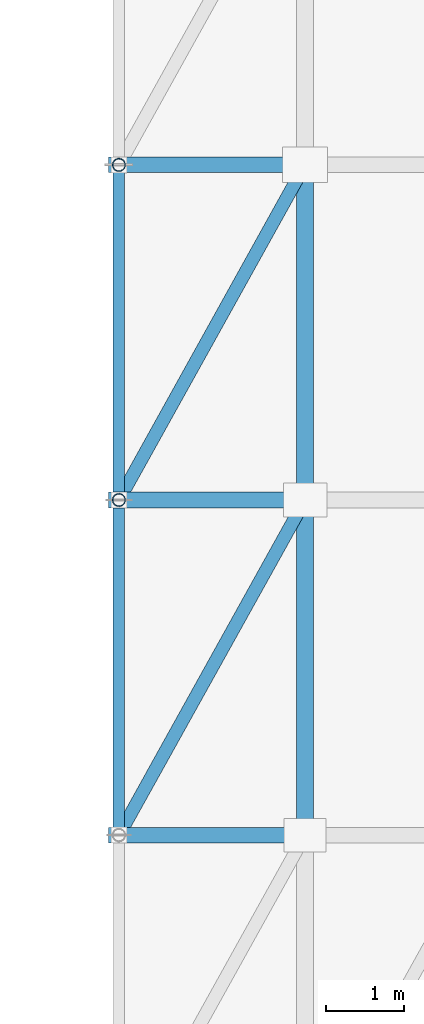
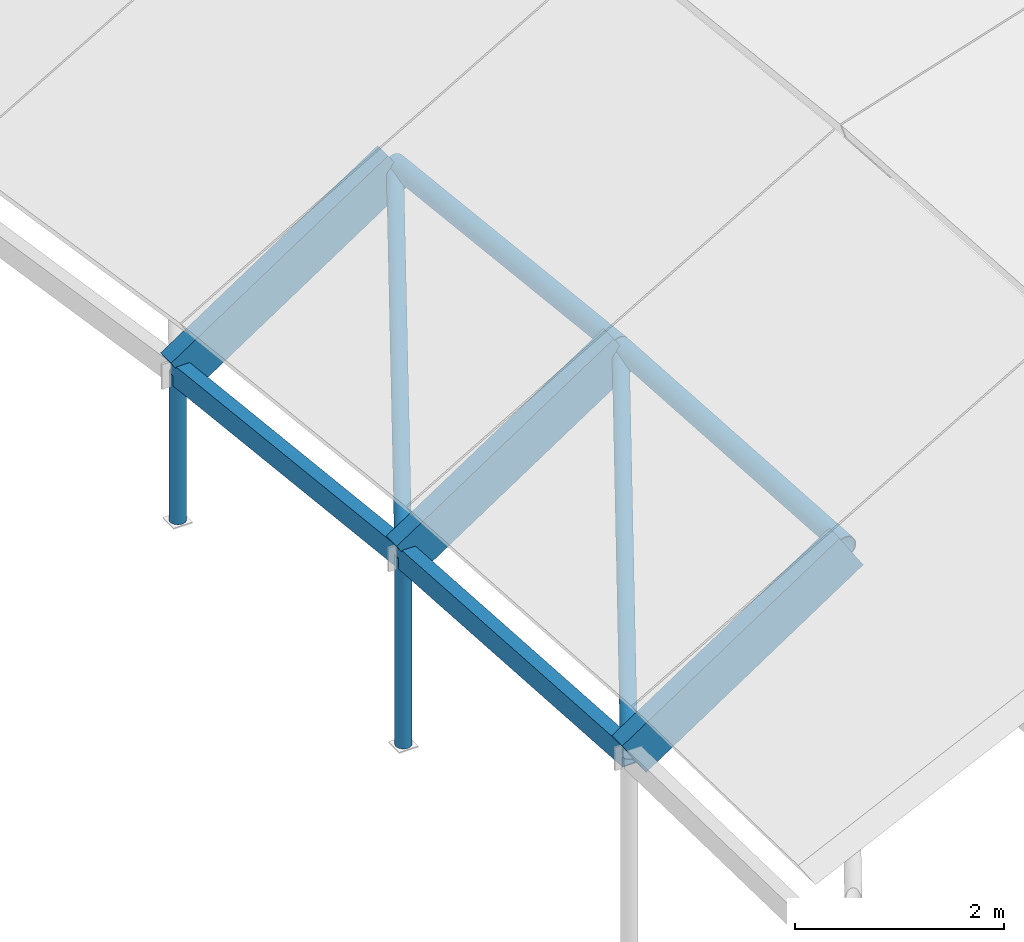
# One storey, part 11 of 35: 11 members.
"""IFC4 building model written with IfcOpenShell, lengths in metres."""

from ifc_helpers import new_model, si_unit, direction, frame, origin, origin_2d, place, context, subcontext, project, spatial, rectangle, hollow_rectangle, hollow_circle, extrude, material, material_profile, profile_set, type_object, element, save


model = new_model("IFC4")

# Units and contexts
model_context = context("Model", 3, precision=1e-05, world=origin(), true_north=direction((0.0, 1.0)))
body_context = subcontext(model_context, "Body", "Model", "MODEL_VIEW")
ifc_project = project(units=[si_unit("LENGTHUNIT", "METRE"), si_unit("AREAUNIT", "SQUARE_METRE"), si_unit("VOLUMEUNIT", "CUBIC_METRE"), si_unit("PLANEANGLEUNIT", "RADIAN"), si_unit("MASSUNIT", "GRAM", prefix="KILO")], contexts=[model_context])

# Site, building, storey
site_placement = place(None, origin())
site = spatial("IfcSite", under=ifc_project, at=site_placement, CompositionType="ELEMENT")
building_placement = place(site_placement, origin())
building = spatial("IfcBuilding", under=site, at=building_placement, Name="Zarrinpeak Specialist Clinic", CompositionType="ELEMENT")
storey_placement = place(building_placement, frame((0.0, 0.0, 31.60009765625)))
storey = spatial("IfcBuildingStorey", under=building, at=storey_placement, Name="RF", CompositionType="ELEMENT", Elevation=31.60009765625)

# Members
ifc_material_1 = material(Name="Steel S355", Category="steel")
ifc_material_profile_1 = material_profile(ifc_material_1, hollow_circle(Radius=0.084228515625, WallThickness=0.008056640625, at=origin_2d()), Name="CHS 168.3x8.0")
ifc_profile_set_1 = profile_set([ifc_material_profile_1], Name="Steel S355")
member_type_1 = type_object("IfcMemberType", Name="MB-BR168", PredefinedType="BRACE", material=ifc_profile_set_1)
member_1_placement = place(storey_placement, frame((93.60009765625, 54.719970703125, -15.296142578125), z_axis=(0.469723105884, 0.84554937524, 0.253784274196), x_axis=(-0.874168927292, 0.485621958479, 0.0)))
element("IfcMember", 1, at=member_1_placement, inside=storey, type_object=member_type_1, Name="V3 Gridshell Diagonal Brace GS-DIAG-007", PredefinedType="BRACE", context=body_context, shape_type="SweptSolid", body=[
    extrude(hollow_circle(Radius=0.084228515625, WallThickness=0.008056640625, at=origin_2d()), origin(), (0.0, 0.0, 1.0), 5.109130859375),
])
member_2_placement = place(storey_placement, frame((93.60009765625, 59.0400390625, -15.583984375), z_axis=(0.473929807143, 0.853121865453, 0.218113778995), x_axis=(-0.874168927292, 0.485621958479, 0.0)))
element("IfcMember", 2, at=member_2_placement, inside=storey, type_object=member_type_1, Name="V3 Gridshell Diagonal Brace GS-DIAG-008", PredefinedType="BRACE", context=body_context, shape_type="SweptSolid", body=[
    extrude(hollow_circle(Radius=0.084228515625, WallThickness=0.008056640625, at=origin_2d()), origin(), (0.0, 0.0, 1.0), 5.063720703125),
])
ifc_material_profile_2 = material_profile(ifc_material_1, hollow_circle(Radius=0.109619140625, WallThickness=0.010009765625, at=origin_2d()), Name="CHS 219.1x10.0")
ifc_profile_set_2 = profile_set([ifc_material_profile_2], Name="Steel S355")
member_type_2 = type_object("IfcMemberType", Name="MB-GS-CH219", PredefinedType="USERDEFINED", material=ifc_profile_set_2)
member_3_placement = place(storey_placement, frame((96.0, 54.719970703125, -13.71142578125), z_axis=(0.0, 0.997783910161, -0.066537723311), x_axis=(-1.0, 0.0, 0.0)))
element("IfcMember", 3, at=member_3_placement, inside=storey, type_object=member_type_2, Name="V3 Translational Gridshell Vault Steel Chord I01-J06", ObjectType="ARCH_SEGMENT", PredefinedType="USERDEFINED", context=body_context, shape_type="SweptSolid", body=[
    extrude(hollow_circle(Radius=0.109619140625, WallThickness=0.010009765625, at=origin_2d()), origin(), (0.0, 0.0, 1.0), 4.32958984375),
])
member_4_placement = place(storey_placement, frame((96.0, 59.0400390625, -13.99951171875), z_axis=(0.0, 0.993884419624, -0.110425361344), x_axis=(-1.0, 0.0, 0.0)))
element("IfcMember", 4, at=member_4_placement, inside=storey, type_object=member_type_2, Name="V3 Translational Gridshell Vault Steel Chord I01-J07", ObjectType="ARCH_SEGMENT", PredefinedType="USERDEFINED", context=body_context, shape_type="SweptSolid", body=[
    extrude(hollow_circle(Radius=0.109619140625, WallThickness=0.010009765625, at=origin_2d()), origin(), (0.0, 0.0, 1.0), 4.3466796875),
])
ifc_material_2 = material(Name="Glulam GL28h", Category="wood")
ifc_material_profile_3 = material_profile(ifc_material_2, rectangle(XDim=0.199951171875, YDim=0.47998046875, at=origin_2d()), Name="GL28h 200x480")
ifc_profile_set_3 = profile_set([ifc_material_profile_3], Name="Glulam GL28h")
member_type_3 = type_object("IfcMemberType", Name="MB-GS-GL480", PredefinedType="USERDEFINED", material=ifc_profile_set_3)
member_5_placement = place(storey_placement, frame((93.60009765625, 54.719970703125, -15.296142578125), z_axis=(0.834484495814, 0.0, 0.55103142038), x_axis=(0.0, 1.0, 0.0)))
element("IfcMember", 5, at=member_5_placement, inside=storey, type_object=member_type_3, Name="V3 Translational Gridshell Vault Glulam Arch Rib J06-00", ObjectType="ARCH_SEGMENT", PredefinedType="USERDEFINED", context=body_context, shape_type="SweptSolid", body=[
    extrude(rectangle(XDim=0.199951171875, YDim=0.47998046875, at=origin_2d()), origin(), (0.0, 0.0, 1.0), 2.8759765625),
])
member_6_placement = place(storey_placement, frame((93.60009765625, 59.0400390625, -15.583984375), z_axis=(0.834523531014, 0.0, 0.550972300741), x_axis=(0.0, 1.0, 0.0)))
element("IfcMember", 6, at=member_6_placement, inside=storey, type_object=member_type_3, Name="V3 Translational Gridshell Vault Glulam Arch Rib J07-00", ObjectType="ARCH_SEGMENT", PredefinedType="USERDEFINED", context=body_context, shape_type="SweptSolid", body=[
    extrude(rectangle(XDim=0.199951171875, YDim=0.47998046875, at=origin_2d()), origin(), (0.0, 0.0, 1.0), 2.875732421875),
])
member_7_placement = place(storey_placement, frame((93.60009765625, 63.360107421875, -16.064208984375), z_axis=(0.834484495814, 0.0, 0.55103142038), x_axis=(0.0, 1.0, 0.0)))
element("IfcMember", 7, at=member_7_placement, inside=storey, type_object=member_type_3, Name="V3 Translational Gridshell Vault Glulam Arch Rib J08-00", ObjectType="ARCH_SEGMENT", PredefinedType="USERDEFINED", context=body_context, shape_type="SweptSolid", body=[
    extrude(rectangle(XDim=0.199951171875, YDim=0.47998046875, at=origin_2d()), origin(), (0.0, 0.0, 1.0), 2.8759765625),
])
ifc_material_profile_4 = material_profile(ifc_material_1, hollow_rectangle(XDim=0.14990234375, YDim=0.25, WallThickness=0.010009765625, at=origin_2d()), Name="RHS 250x150x10.0")
ifc_profile_set_4 = profile_set([ifc_material_profile_4], Name="Steel S355")
member_type_4 = type_object("IfcMemberType", Name="MB-GS-RH250", PredefinedType="USERDEFINED", material=ifc_profile_set_4)
member_8_placement = place(storey_placement, frame((93.60009765625, 54.719970703125, -15.296142578125), z_axis=(0.0, 0.997787652204, -0.066481584739), x_axis=(-1.0, 0.0, 0.0)))
element("IfcMember", 8, at=member_8_placement, inside=storey, type_object=member_type_4, Name="V3 Translational Gridshell Vault Steel Chord I00-J06", ObjectType="ARCH_SEGMENT", PredefinedType="USERDEFINED", context=body_context, shape_type="SweptSolid", body=[
    extrude(hollow_rectangle(XDim=0.14990234375, YDim=0.25, WallThickness=0.010009765625, at=origin_2d()), origin(), (0.0, 0.0, 1.0), 4.32958984375),
])
member_9_placement = place(storey_placement, frame((93.60009765625, 59.0400390625, -15.583984375), z_axis=(0.0, 0.993878253725, -0.110480843463), x_axis=(-1.0, 0.0, 0.0)))
element("IfcMember", 9, at=member_9_placement, inside=storey, type_object=member_type_4, Name="V3 Translational Gridshell Vault Steel Chord I00-J07", ObjectType="ARCH_SEGMENT", PredefinedType="USERDEFINED", context=body_context, shape_type="SweptSolid", body=[
    extrude(hollow_rectangle(XDim=0.14990234375, YDim=0.25, WallThickness=0.010009765625, at=origin_2d()), origin(), (0.0, 0.0, 1.0), 4.3466796875),
])
ifc_material_profile_5 = material_profile(ifc_material_1, hollow_circle(Radius=0.084228515625, WallThickness=0.008056640625, at=origin_2d()), Name="CHS 168.3x8.0")
ifc_profile_set_5 = profile_set([ifc_material_profile_5], Name="Steel S355")
member_type_5 = type_object("IfcMemberType", Name="MB-PST168", PredefinedType="BRACE", material=ifc_profile_set_5)
member_10_placement = place(storey_placement, frame((93.60009765625, 59.0400390625, -17.800048828125), z_axis=(0.0, 0.0, 1.0), x_axis=(1.0, 0.0, 0.0)))
element("IfcMember", 10, at=member_10_placement, inside=storey, type_object=member_type_5, Name="V3 Gridshell Edge Arch Post 0-7", PredefinedType="BRACE", context=body_context, shape_type="SweptSolid", body=[
    extrude(hollow_circle(Radius=0.084228515625, WallThickness=0.008056640625, at=origin_2d()), origin(), (0.0, 0.0, 1.0), 2.216064453125),
])
member_11_placement = place(storey_placement, frame((93.60009765625, 63.360107421875, -17.800048828125), z_axis=(0.0, 0.0, 1.0), x_axis=(1.0, 0.0, 0.0)))
element("IfcMember", 11, at=member_11_placement, inside=storey, type_object=member_type_5, Name="V3 Gridshell Edge Arch Post 0-8", PredefinedType="BRACE", context=body_context, shape_type="SweptSolid", body=[
    extrude(hollow_circle(Radius=0.084228515625, WallThickness=0.008056640625, at=origin_2d()), origin(), (0.0, 0.0, 1.0), 1.73583984375),
])

save(model, "model.ifc")
